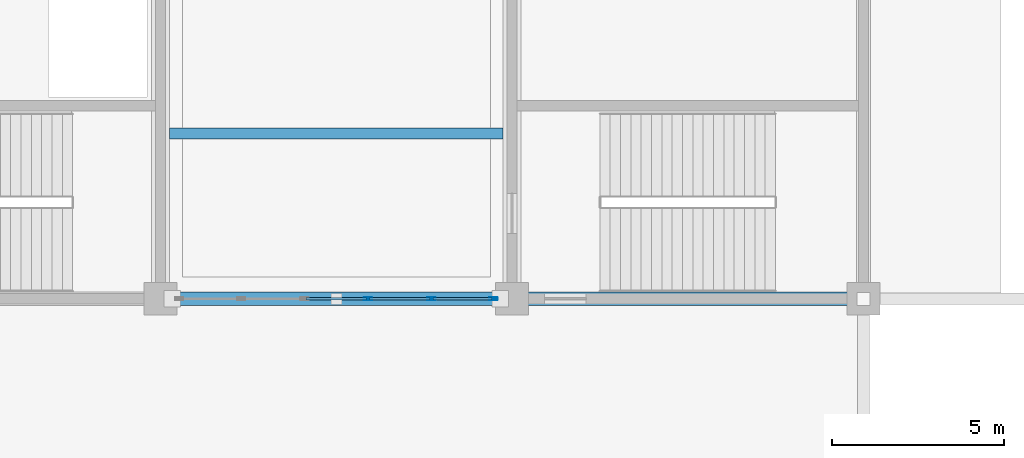
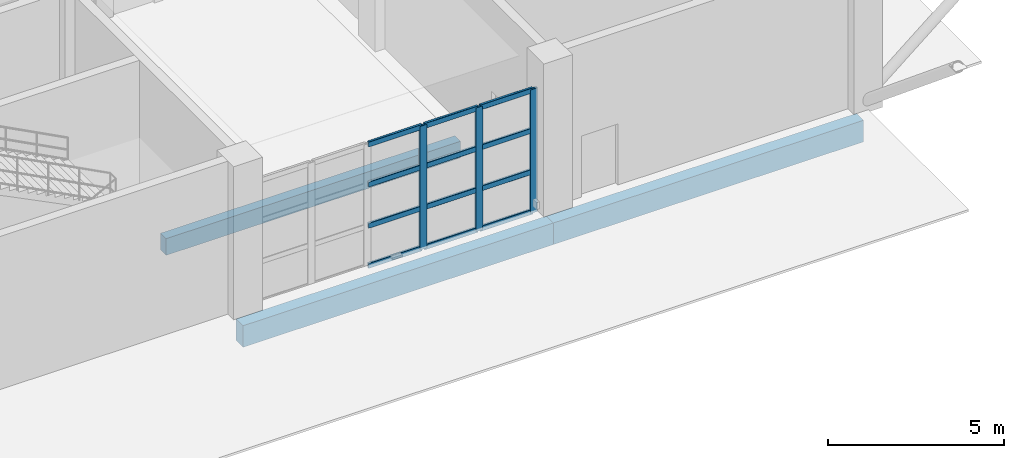
# One storey, part 59 of 124: 15 members, 3 beams, 1 element without a shape of its own.
"""IFC4 building model written with IfcOpenShell, lengths in metres."""

from ifc_helpers import new_model, si_unit, direction, frame, origin, origin_2d, place, context, subcontext, project, spatial, rectangle, hollow_rectangle, extrude, material, material_profile, profile_set, type_object, element, aggregate, save


model = new_model("IFC4")

# Units and contexts
model_context = context("Model", 3, precision=1e-05, world=origin(), true_north=direction((0.0, 1.0)))
body_context = subcontext(model_context, "Body", "Model", "MODEL_VIEW")
ifc_project = project(units=[si_unit("LENGTHUNIT", "METRE"), si_unit("AREAUNIT", "SQUARE_METRE"), si_unit("VOLUMEUNIT", "CUBIC_METRE"), si_unit("PLANEANGLEUNIT", "RADIAN"), si_unit("MASSUNIT", "GRAM", prefix="KILO")], contexts=[model_context])

# Site, building, storey
site_placement = place(None, origin())
site = spatial("IfcSite", under=ifc_project, at=site_placement, CompositionType="ELEMENT")
building_placement = place(site_placement, origin())
building = spatial("IfcBuilding", under=site, at=building_placement, Name="Brelvane Convention Centre", CompositionType="ELEMENT")
storey_placement = place(building_placement, origin())
storey = spatial("IfcBuildingStorey", under=building, at=storey_placement, Name="L00", CompositionType="ELEMENT", Elevation=0.0)

# Curtain wall, members
ifc_material_1 = material(Name="Anodised Aluminium Alloy 6063-T6", Category="aluminium")
curtain_wall_type = type_object("IfcCurtainWallType", Name="Curtain Wall CW-CONC", PredefinedType="USERDEFINED", material=ifc_material_1)
curtain_wall_placement = place(storey_placement, origin())
curtain_wall = element("IfcCurtainWall", 1, at=curtain_wall_placement, inside=storey, type_object=curtain_wall_type, Name="Curtain Wall CW-CONC L00-V1S-21", ObjectType="UNITISED", PredefinedType="USERDEFINED")
ifc_material_2 = material(Name="Anodised Aluminium Alloy 6063-T6", Category="aluminium")
ifc_material_profile_1 = material_profile(ifc_material_2, hollow_rectangle(XDim=0.080078125, YDim=0.239990234375, WallThickness=0.006103515625, InnerFilletRadius=0.006103515625, OuterFilletRadius=0.011962890625, at=origin_2d()), Name="ALU-M 240x80x6.0")
ifc_profile_set_1 = profile_set([ifc_material_profile_1], Name="Anodised Aluminium Alloy 6063-T6")
member_type_1 = type_object("IfcMemberType", Name="Curtain Mullion CW-M1", PredefinedType="MULLION", material=ifc_profile_set_1)
member_1_placement = place(storey_placement, frame((210.02001953125, 19.199951171875, 0.0), z_axis=(0.0, 0.0, 1.0), x_axis=(0.0, 1.0, 0.0)))
member_1 = element("IfcMember", 2, at=member_1_placement, type_object=member_type_1, Name="CW-CONC mullion 4", PredefinedType="MULLION", context=body_context, shape_type="SweptSolid", body=[
    extrude(hollow_rectangle(XDim=0.080078125, YDim=0.239990234375, WallThickness=0.006103515625, InnerFilletRadius=0.006103515625, OuterFilletRadius=0.011962890625, at=origin_2d()), origin(), (0.0, 0.0, 1.0), 4.300048828125),
])
member_2_placement = place(storey_placement, frame((211.860107421875, 19.199951171875, 0.0), z_axis=(0.0, 0.0, 1.0), x_axis=(0.0, 1.0, 0.0)))
member_2 = element("IfcMember", 3, at=member_2_placement, type_object=member_type_1, Name="CW-CONC mullion 5", PredefinedType="MULLION", context=body_context, shape_type="SweptSolid", body=[
    extrude(hollow_rectangle(XDim=0.080078125, YDim=0.239990234375, WallThickness=0.006103515625, InnerFilletRadius=0.006103515625, OuterFilletRadius=0.011962890625, at=origin_2d()), origin(), (0.0, 0.0, 1.0), 4.300048828125),
])
member_3_placement = place(storey_placement, frame((213.659912109375, 19.199951171875, 0.0), z_axis=(0.0, 0.0, 1.0), x_axis=(0.0, 1.0, 0.0)))
member_3 = element("IfcMember", 4, at=member_3_placement, type_object=member_type_1, Name="CW-CONC mullion 6", PredefinedType="MULLION", context=body_context, shape_type="SweptSolid", body=[
    extrude(hollow_rectangle(XDim=0.080078125, YDim=0.239990234375, WallThickness=0.006103515625, InnerFilletRadius=0.006103515625, OuterFilletRadius=0.011962890625, at=origin_2d()), origin(), (0.0, 0.0, 1.0), 4.300048828125),
])
ifc_material_3 = material(Name="Anodised Aluminium Alloy 6063-T6", Category="aluminium")
ifc_material_profile_2 = material_profile(ifc_material_3, hollow_rectangle(XDim=0.080078125, YDim=0.179931640625, WallThickness=0.0048828125, InnerFilletRadius=0.0048828125, OuterFilletRadius=0.010009765625, at=origin_2d()), Name="ALU-T 180x80x5.0")
ifc_profile_set_2 = profile_set([ifc_material_profile_2], Name="Anodised Aluminium Alloy 6063-T6")
member_type_2 = type_object("IfcMemberType", Name="Curtain Transom CW-T1", PredefinedType="USERDEFINED", material=ifc_profile_set_2)
member_4_placement = place(storey_placement, frame((208.219970703125, 19.199951171875, 0.0400390625), z_axis=(1.0, 0.0, 0.0), x_axis=(0.0, 1.0, 0.0)))
member_4 = element("IfcMember", 5, at=member_4_placement, type_object=member_type_2, Name="CW-CONC transom 3.1", ObjectType="TRANSOM", PredefinedType="USERDEFINED", context=body_context, shape_type="SweptSolid", body=[
    extrude(hollow_rectangle(XDim=0.080078125, YDim=0.179931640625, WallThickness=0.0048828125, InnerFilletRadius=0.0048828125, OuterFilletRadius=0.010009765625, at=origin_2d()), origin(), (0.0, 0.0, 1.0), 1.760009765625),
])
member_5_placement = place(storey_placement, frame((208.219970703125, 19.199951171875, 1.433349609375), z_axis=(1.0, 0.0, 0.0), x_axis=(0.0, 1.0, 0.0)))
member_5 = element("IfcMember", 6, at=member_5_placement, type_object=member_type_2, Name="CW-CONC transom 3.2", ObjectType="TRANSOM", PredefinedType="USERDEFINED", context=body_context, shape_type="SweptSolid", body=[
    extrude(hollow_rectangle(XDim=0.080078125, YDim=0.179931640625, WallThickness=0.0048828125, InnerFilletRadius=0.0048828125, OuterFilletRadius=0.010009765625, at=origin_2d()), origin(), (0.0, 0.0, 1.0), 1.760009765625),
])
member_6_placement = place(storey_placement, frame((208.219970703125, 19.199951171875, 2.86669921875), z_axis=(1.0, 0.0, 0.0), x_axis=(0.0, 1.0, 0.0)))
member_6 = element("IfcMember", 7, at=member_6_placement, type_object=member_type_2, Name="CW-CONC transom 3.3", ObjectType="TRANSOM", PredefinedType="USERDEFINED", context=body_context, shape_type="SweptSolid", body=[
    extrude(hollow_rectangle(XDim=0.080078125, YDim=0.179931640625, WallThickness=0.0048828125, InnerFilletRadius=0.0048828125, OuterFilletRadius=0.010009765625, at=origin_2d()), origin(), (0.0, 0.0, 1.0), 1.760009765625),
])
member_7_placement = place(storey_placement, frame((208.219970703125, 19.199951171875, 4.260009765625), z_axis=(1.0, 0.0, 0.0), x_axis=(0.0, 1.0, 0.0)))
member_7 = element("IfcMember", 8, at=member_7_placement, type_object=member_type_2, Name="CW-CONC transom 3.4", ObjectType="TRANSOM", PredefinedType="USERDEFINED", context=body_context, shape_type="SweptSolid", body=[
    extrude(hollow_rectangle(XDim=0.080078125, YDim=0.179931640625, WallThickness=0.0048828125, InnerFilletRadius=0.0048828125, OuterFilletRadius=0.010009765625, at=origin_2d()), origin(), (0.0, 0.0, 1.0), 1.760009765625),
])
member_8_placement = place(storey_placement, frame((210.06005859375, 19.199951171875, 0.0400390625), z_axis=(1.0, 0.0, 0.0), x_axis=(0.0, 1.0, 0.0)))
member_8 = element("IfcMember", 9, at=member_8_placement, type_object=member_type_2, Name="CW-CONC transom 4.1", ObjectType="TRANSOM", PredefinedType="USERDEFINED", context=body_context, shape_type="SweptSolid", body=[
    extrude(hollow_rectangle(XDim=0.080078125, YDim=0.179931640625, WallThickness=0.0048828125, InnerFilletRadius=0.0048828125, OuterFilletRadius=0.010009765625, at=origin_2d()), origin(), (0.0, 0.0, 1.0), 1.760009765625),
])
member_9_placement = place(storey_placement, frame((210.06005859375, 19.199951171875, 1.433349609375), z_axis=(1.0, 0.0, 0.0), x_axis=(0.0, 1.0, 0.0)))
member_9 = element("IfcMember", 10, at=member_9_placement, type_object=member_type_2, Name="CW-CONC transom 4.2", ObjectType="TRANSOM", PredefinedType="USERDEFINED", context=body_context, shape_type="SweptSolid", body=[
    extrude(hollow_rectangle(XDim=0.080078125, YDim=0.179931640625, WallThickness=0.0048828125, InnerFilletRadius=0.0048828125, OuterFilletRadius=0.010009765625, at=origin_2d()), origin(), (0.0, 0.0, 1.0), 1.760009765625),
])
member_10_placement = place(storey_placement, frame((210.06005859375, 19.199951171875, 2.86669921875), z_axis=(1.0, 0.0, 0.0), x_axis=(0.0, 1.0, 0.0)))
member_10 = element("IfcMember", 11, at=member_10_placement, type_object=member_type_2, Name="CW-CONC transom 4.3", ObjectType="TRANSOM", PredefinedType="USERDEFINED", context=body_context, shape_type="SweptSolid", body=[
    extrude(hollow_rectangle(XDim=0.080078125, YDim=0.179931640625, WallThickness=0.0048828125, InnerFilletRadius=0.0048828125, OuterFilletRadius=0.010009765625, at=origin_2d()), origin(), (0.0, 0.0, 1.0), 1.760009765625),
])
member_11_placement = place(storey_placement, frame((210.06005859375, 19.199951171875, 4.260009765625), z_axis=(1.0, 0.0, 0.0), x_axis=(0.0, 1.0, 0.0)))
member_11 = element("IfcMember", 12, at=member_11_placement, type_object=member_type_2, Name="CW-CONC transom 4.4", ObjectType="TRANSOM", PredefinedType="USERDEFINED", context=body_context, shape_type="SweptSolid", body=[
    extrude(hollow_rectangle(XDim=0.080078125, YDim=0.179931640625, WallThickness=0.0048828125, InnerFilletRadius=0.0048828125, OuterFilletRadius=0.010009765625, at=origin_2d()), origin(), (0.0, 0.0, 1.0), 1.760009765625),
])
member_12_placement = place(storey_placement, frame((211.89990234375, 19.199951171875, 0.0400390625), z_axis=(1.0, 0.0, 0.0), x_axis=(0.0, 1.0, 0.0)))
member_12 = element("IfcMember", 13, at=member_12_placement, type_object=member_type_2, Name="CW-CONC transom 5.1", ObjectType="TRANSOM", PredefinedType="USERDEFINED", context=body_context, shape_type="SweptSolid", body=[
    extrude(hollow_rectangle(XDim=0.080078125, YDim=0.179931640625, WallThickness=0.0048828125, InnerFilletRadius=0.0048828125, OuterFilletRadius=0.010009765625, at=origin_2d()), origin(), (0.0, 0.0, 1.0), 1.72021484375),
])
member_13_placement = place(storey_placement, frame((211.89990234375, 19.199951171875, 1.433349609375), z_axis=(1.0, 0.0, 0.0), x_axis=(0.0, 1.0, 0.0)))
member_13 = element("IfcMember", 14, at=member_13_placement, type_object=member_type_2, Name="CW-CONC transom 5.2", ObjectType="TRANSOM", PredefinedType="USERDEFINED", context=body_context, shape_type="SweptSolid", body=[
    extrude(hollow_rectangle(XDim=0.080078125, YDim=0.179931640625, WallThickness=0.0048828125, InnerFilletRadius=0.0048828125, OuterFilletRadius=0.010009765625, at=origin_2d()), origin(), (0.0, 0.0, 1.0), 1.72021484375),
])
member_14_placement = place(storey_placement, frame((211.89990234375, 19.199951171875, 2.86669921875), z_axis=(1.0, 0.0, 0.0), x_axis=(0.0, 1.0, 0.0)))
member_14 = element("IfcMember", 15, at=member_14_placement, type_object=member_type_2, Name="CW-CONC transom 5.3", ObjectType="TRANSOM", PredefinedType="USERDEFINED", context=body_context, shape_type="SweptSolid", body=[
    extrude(hollow_rectangle(XDim=0.080078125, YDim=0.179931640625, WallThickness=0.0048828125, InnerFilletRadius=0.0048828125, OuterFilletRadius=0.010009765625, at=origin_2d()), origin(), (0.0, 0.0, 1.0), 1.72021484375),
])
member_15_placement = place(storey_placement, frame((211.89990234375, 19.199951171875, 4.260009765625), z_axis=(1.0, 0.0, 0.0), x_axis=(0.0, 1.0, 0.0)))
member_15 = element("IfcMember", 16, at=member_15_placement, type_object=member_type_2, Name="CW-CONC transom 5.4", ObjectType="TRANSOM", PredefinedType="USERDEFINED", context=body_context, shape_type="SweptSolid", body=[
    extrude(hollow_rectangle(XDim=0.080078125, YDim=0.179931640625, WallThickness=0.0048828125, InnerFilletRadius=0.0048828125, OuterFilletRadius=0.010009765625, at=origin_2d()), origin(), (0.0, 0.0, 1.0), 1.72021484375),
])
aggregate(curtain_wall, [member_1, member_2, member_3, member_4, member_5, member_6, member_7, member_8, member_9, member_10, member_11, member_12, member_13, member_14, member_15])

# Beams
ifc_material_4 = material(Name="Concrete M40", Category="concrete")
ifc_material_profile_3 = material_profile(ifc_material_4, rectangle(XDim=0.320068359375, YDim=0.580078125, at=origin_2d()), Name="RC 320x580")
ifc_profile_set_3 = profile_set([ifc_material_profile_3], Name="Concrete M40")
beam_type_1 = type_object("IfcBeamType", Name="RC Joist J-RC3 (RC 320x580)", PredefinedType="JOIST", material=ifc_profile_set_3)
beam_placement = place(storey_placement, frame((204.260009765625, 24.0, -0.75), z_axis=(1.0, 0.0, 0.0), x_axis=(0.0, 1.0, 0.0)))
element("IfcBeam", 17, at=beam_placement, inside=storey, type_object=beam_type_1, Name="L00 Secondary Joist 21-22/CD", PredefinedType="JOIST", context=body_context, shape_type="SweptSolid", body=[
    extrude(rectangle(XDim=0.320068359375, YDim=0.580078125, at=origin_2d()), origin(), (0.0, 0.0, 1.0), 9.679931640625),
])
ifc_material_5 = material(Name="Concrete M40", Category="concrete")
ifc_material_profile_4 = material_profile(ifc_material_5, rectangle(XDim=0.39990234375, YDim=0.75, at=origin_2d()), Name="RC 400x750")
ifc_profile_set_4 = profile_set([ifc_material_profile_4], Name="Concrete M40")
beam_type_2 = type_object("IfcBeamType", Name="RC Spandrel SP-RC1 (RC 400x750)", PredefinedType="SPANDREL", material=ifc_profile_set_4)
for number, where, z_axis, x_axis, name in (
    (18, (204.0, 19.199951171875, -0.8349609375), (1.0, 0.0, 0.0), (0.0, 1.0, 0.0), "L00 Beam 21-22/C"),
    (19, (214.199951171875, 19.199951171875, -0.8349609375), (1.0, 0.0, 0.0), (0.0, 1.0, 0.0), "L00 Beam 22-23/C"),
):
    element("IfcBeam", number, at=place(storey_placement, frame(where, z_axis=z_axis, x_axis=x_axis)), inside=storey, type_object=beam_type_2, Name=name, PredefinedType="SPANDREL", context=body_context, shape_type="SweptSolid", body=[
        extrude(rectangle(XDim=0.39990234375, YDim=0.75, at=origin_2d()), origin(), (0.0, 0.0, 1.0), 10.199951171875),
    ])

save(model, "model.ifc")
